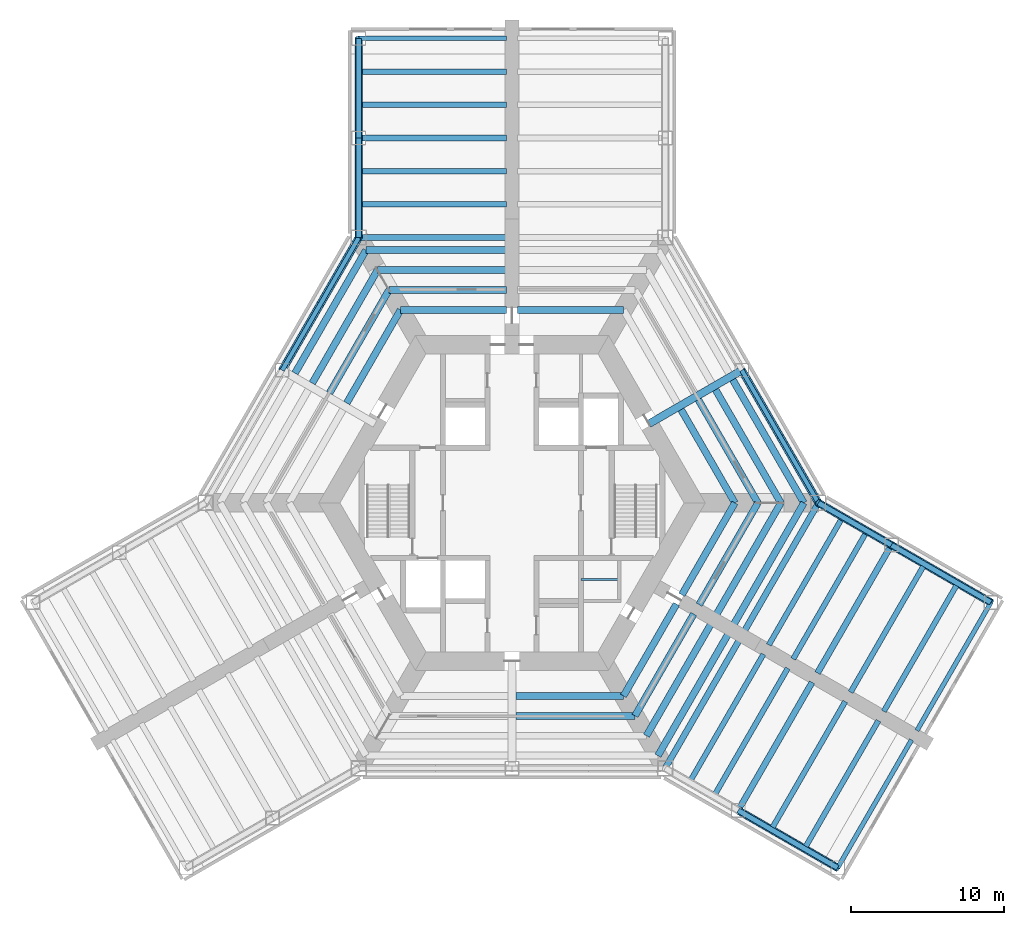
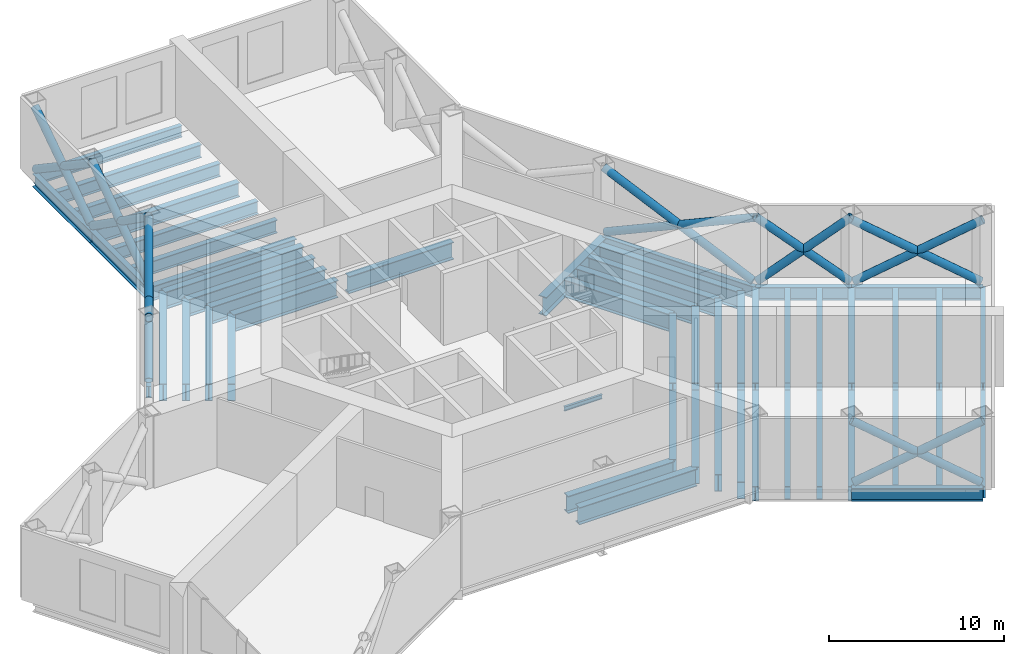
# One storey, part 2 of 8: 53 beams, 14 members.
"""IFC4 building model written with IfcOpenShell, lengths in metres."""

import ifcopenshell
import ifcopenshell.guid

model = None  # the IFC model being written
_history = None  # IfcOwnerHistory: only IFC2X3 demands one
_inside = {}  # id of a spatial element -> (the spatial element, [elements in it])
_under = {}  # id of a project, library or spatial element -> (it, [spatial elements below it])
_declared = {}  # id of a project -> (the project, [libraries it declares])
_typed = {}  # id of a type object -> (the type object, [elements of that type])
_made_of = {}  # id of a material, layer set ... -> (it, [elements and type objects made of it])


def new_model(schema):
    """Start an empty IFC model of exactly this schema.

    Asked for "IFC4X3", IfcOpenShell would pick the latest addendum, in which some entities
    have other attributes; the version numbers below select the first issue.
    IFC2X3 requires an IfcOwnerHistory on every rooted entity: one is made here for all.
    """
    global model, _history
    if schema == "IFC4X3":
        model = ifcopenshell.file(schema_version=(4, 3, 0, 0))
    else:
        model = ifcopenshell.file(schema=schema)
    _inside.clear()
    _under.clear()
    _declared.clear()
    _typed.clear()
    _made_of.clear()
    _history = None
    if model.schema == "IFC2X3":
        org = make("IfcOrganization", Name="unknown")
        user = make(
            "IfcPersonAndOrganization",
            ThePerson=make("IfcPerson", FamilyName="unknown"),
            TheOrganization=org,
        )
        app = make(
            "IfcApplication",
            ApplicationDeveloper=org,
            Version="unknown",
            ApplicationFullName="unknown",
            ApplicationIdentifier="unknown",
        )
        _history = make(
            "IfcOwnerHistory",
            OwningUser=user,
            OwningApplication=app,
            ChangeAction="ADDED",
            CreationDate=0,
        )
    return model


def make(cls, **values):
    """One entity of the class cls with the attributes given. An attribute that is None is left unset."""
    return model.create_entity(
        cls, **{name: value for name, value in values.items() if value is not None}
    )


def rooted(cls, **values):
    """An entity with a GlobalId (a new one), such as an element, a storey or a relation."""
    return make(cls, GlobalId=ifcopenshell.guid.new(), OwnerHistory=_history, **values)


def si_unit(unit_type, name, prefix=None):
    """IfcSIUnit, for example si_unit("LENGTHUNIT", "METRE", prefix="MILLI")."""
    return make("IfcSIUnit", UnitType=unit_type, Prefix=prefix, Name=name)


def assignment(units):
    """IfcUnitAssignment: the units of a project."""
    return None if units is None else make("IfcUnitAssignment", Units=units)


def point(xyz):
    """IfcCartesianPoint."""
    return None if xyz is None else make("IfcCartesianPoint", Coordinates=xyz)


def direction(xyz):
    """IfcDirection."""
    return None if xyz is None else make("IfcDirection", DirectionRatios=xyz)


def frame(location, z_axis=None, x_axis=None):
    """IfcAxis2Placement3D, a coordinate frame: its origin and axes. An axis left out is left unset."""
    return make(
        "IfcAxis2Placement3D",
        Location=point(location),
        Axis=direction(z_axis),
        RefDirection=direction(x_axis),
    )


def frame_2d(location, x_axis=None):
    """IfcAxis2Placement2D, a coordinate frame in the plane: its origin and x axis."""
    return make(
        "IfcAxis2Placement2D", Location=point(location), RefDirection=direction(x_axis)
    )


def origin():
    """The frame at (0, 0, 0) with its axes left unset."""
    return frame((0.0, 0.0, 0.0))


def origin_2d():
    """The frame at (0, 0) in the plane with its x axis left unset."""
    return frame_2d((0.0, 0.0))


def place(relative_to, where):
    """IfcLocalPlacement: puts the frame where relative to a parent placement (None: the world)."""
    return make(
        "IfcLocalPlacement", PlacementRelTo=relative_to, RelativePlacement=where
    )


def context(
    kind, dimensions, precision=None, world=None, true_north=None, identifier=None
):
    """IfcGeometricRepresentationContext, for example the 3D "Model" context."""
    return make(
        "IfcGeometricRepresentationContext",
        ContextIdentifier=identifier,
        ContextType=kind,
        CoordinateSpaceDimension=dimensions,
        Precision=precision,
        WorldCoordinateSystem=world,
        TrueNorth=true_north,
    )


def subcontext(parent, identifier, kind, view, scale=None):
    """IfcGeometricRepresentationSubContext, for example "Body" below "Model"."""
    return make(
        "IfcGeometricRepresentationSubContext",
        ContextIdentifier=identifier,
        ContextType=kind,
        ParentContext=parent,
        TargetScale=scale,
        TargetView=view,
    )


def project(units=None, contexts=None):
    """IfcProject with its units and contexts."""
    return rooted(
        "IfcProject",
        Name="project",
        RepresentationContexts=contexts,
        UnitsInContext=assignment(units),
    )


def spatial(cls, under=None, at=None, **own):
    """A site, building, storey or space (cls), placed at a placement, below another one or the project."""
    s = rooted(cls, ObjectPlacement=at, **own)
    if under is not None:
        _under.setdefault(under.id(), (under, []))[1].append(s)
    return s


def profile(cls, at=None, kind="AREA", **sizes):
    """A parametric profile (cls). Its sizes go by their IFC names, for example OverallWidth=200.0."""
    return make(cls, ProfileType=kind, Position=at, **sizes)


def hollow_circle(**sizes):
    """IfcCircleHollowProfileDef."""
    return profile("IfcCircleHollowProfileDef", **sizes)


def i_section(**sizes):
    """IfcIShapeProfileDef."""
    return profile("IfcIShapeProfileDef", **sizes)


def extrude(swept, where, along, depth):
    """IfcExtrudedAreaSolid: the profile swept, set in the frame where, extruded along a direction by depth."""
    return make(
        "IfcExtrudedAreaSolid",
        SweptArea=swept,
        Position=where,
        ExtrudedDirection=direction(along),
        Depth=depth,
    )


def shape(context_of_items, identifier, shape_type, items):
    """IfcShapeRepresentation: the items that make up one representation, for example the "Body"."""
    return make(
        "IfcShapeRepresentation",
        ContextOfItems=context_of_items,
        RepresentationIdentifier=identifier,
        RepresentationType=shape_type,
        Items=items,
    )


def material(Name=None, Category=None):
    """IfcMaterial."""
    return make("IfcMaterial", Name=Name, Category=Category)


def material_profile(
    of_material, cross_section, Name=None, Category=None, Priority=None
):
    """IfcMaterialProfile: a cross section and its material."""
    return make(
        "IfcMaterialProfile",
        Name=Name,
        Material=of_material,
        Profile=cross_section,
        Priority=Priority,
        Category=Category,
    )


def profile_set(profiles, Name=None, composite=None):
    """IfcMaterialProfileSet."""
    return make(
        "IfcMaterialProfileSet",
        Name=Name,
        MaterialProfiles=profiles,
        CompositeProfile=composite,
    )


def made_of(thing, what):
    """Note that an element or type object is made of a material, layer set ...; save() writes the relation."""
    if what is not None:
        _made_of.setdefault(what.id(), (what, []))[1].append(thing)
    return thing


def type_object(cls, material=None, **own):
    """A type object (cls), such as IfcWallType, which elements share."""
    return made_of(rooted(cls, **own), material)


def element(
    cls,
    number,
    at=None,
    inside=None,
    cuts=None,
    type_object=None,
    material=None,
    context=None,
    identifier="Body",
    shape_type=None,
    held_by="IfcProductDefinitionShape",
    body=None,
    shapes=None,
    **own,
):
    """One element of the class cls, such as IfcWall. Its Tag is "e" and its number.

    at: its placement. inside: the storey or other place that contains it. cuts: it is an
    opening in that element (IfcRelVoidsElement). A single representation is given by context,
    identifier, shape_type and body (its items); several are given by shapes. held_by: the class
    of the entity that holds the representations. save() writes the other relations.
    """
    e = rooted(cls, Tag="e%d" % number, ObjectPlacement=at, **own)
    if body is not None:
        shapes = [shape(context, identifier, shape_type, body)]
    if shapes is not None:
        e.Representation = make(held_by, Representations=shapes)
    if inside is not None:
        _inside.setdefault(inside.id(), (inside, []))[1].append(e)
    if cuts is not None:
        rooted(
            "IfcRelVoidsElement", RelatingBuildingElement=cuts, RelatedOpeningElement=e
        )
    if type_object is not None:
        _typed.setdefault(type_object.id(), (type_object, []))[1].append(e)
    return made_of(e, material)


def aggregate(whole, parts):
    """IfcRelAggregates: a whole, such as a stair, and the parts it consists of."""
    return rooted("IfcRelAggregates", RelatingObject=whole, RelatedObjects=parts)


def save(model, path):
    """Write the relations noted so far, then the file.

    IfcRelAggregates (storeys below a building ...), IfcRelContainedInSpatialStructure (elements
    in a storey), IfcRelDefinesByType, IfcRelAssociatesMaterial and IfcRelDeclares: one each for
    every whole, place, type object, material and project.
    """
    for whole, parts in _under.values():
        aggregate(whole, parts)
    for where, things in _inside.values():
        rooted(
            "IfcRelContainedInSpatialStructure",
            RelatedElements=things,
            RelatingStructure=where,
        )
    for kind, things in _typed.values():
        rooted("IfcRelDefinesByType", RelatedObjects=things, RelatingType=kind)
    for what, things in _made_of.values():
        rooted("IfcRelAssociatesMaterial", RelatedObjects=things, RelatingMaterial=what)
    for by, libraries in _declared.values():
        rooted("IfcRelDeclares", RelatingContext=by, RelatedDefinitions=libraries)
    model.write(path)


model = new_model("IFC4")

# Units and contexts
model_context = context("Model", 3, precision=1e-05, world=origin(), true_north=direction((0.0, 1.0)))
body_context = subcontext(model_context, "Body", "Model", "MODEL_VIEW")
ifc_project = project(units=[si_unit("LENGTHUNIT", "METRE"), si_unit("AREAUNIT", "SQUARE_METRE"), si_unit("VOLUMEUNIT", "CUBIC_METRE"), si_unit("PLANEANGLEUNIT", "RADIAN"), si_unit("MASSUNIT", "GRAM", prefix="KILO")], contexts=[model_context])

# Site, building, storey
site_placement = place(None, origin())
site = spatial("IfcSite", under=ifc_project, at=site_placement, CompositionType="ELEMENT")
building_placement = place(site_placement, origin())
building = spatial("IfcBuilding", under=site, at=building_placement, Name="Kasaneha Research Tower", CompositionType="ELEMENT")
storey_placement = place(building_placement, frame((0.0, 0.0, 52.0)))
storey = spatial("IfcBuildingStorey", under=building, at=storey_placement, Name="L13", CompositionType="ELEMENT", Elevation=52.0)

# Beams
ifc_material_1 = material(Name="Steel SN490B", Category="steel")
ifc_material_profile_1 = material_profile(ifc_material_1, i_section(OverallWidth=0.449951171875, OverallDepth=1.199951171875, WebThickness=0.02197265625, FlangeThickness=0.0400390625, at=origin_2d()), Name="BH-1200x450x22x40")
ifc_profile_set_1 = profile_set([ifc_material_profile_1], Name="Steel SN490B")
beam_type_1 = type_object("IfcBeamType", Name="B1-5 secondary beam BH-1200x450x22x40", PredefinedType="JOIST", material=ifc_profile_set_1)
beam_1_placement = place(storey_placement, frame((14.54931640625, 0.0, -0.85009765625), z_axis=(-0.500015274395, 0.866016584929, 0.0), x_axis=(-0.866016584929, -0.500015274395, 0.0)))
element("IfcBeam", 1, at=beam_1_placement, inside=storey, type_object=beam_type_1, Name="Secondary beam RS030L1 L13", PredefinedType="JOIST", context=body_context, shape_type="SweptSolid", body=[
    extrude(i_section(OverallWidth=0.449951171875, OverallDepth=1.199951171875, WebThickness=0.02197265625, FlangeThickness=0.0400390625, at=origin_2d()), origin(), (0.0, 0.0, 1.0), 7.024658203125),
])
beam_2_placement = place(storey_placement, frame((16.05029296875, 0.0, -0.85009765625), z_axis=(-0.499992453835, 0.866029760521, 0.0), x_axis=(-0.866029760521, -0.499992453835, 0.0)))
element("IfcBeam", 2, at=beam_2_placement, inside=storey, type_object=beam_type_1, Name="Secondary beam RS030L2 L13", PredefinedType="JOIST", context=body_context, shape_type="SweptSolid", body=[
    extrude(i_section(OverallWidth=0.449951171875, OverallDepth=1.199951171875, WebThickness=0.02197265625, FlangeThickness=0.0400390625, at=origin_2d()), origin(), (0.0, 0.0, 1.0), 7.77490234375),
])
beam_3_placement = place(storey_placement, frame((17.551513671875, 0.0, -0.85009765625), z_axis=(-0.500004205306, 0.866022975836, 0.0), x_axis=(-0.866022975836, -0.500004205306, 0.0)))
element("IfcBeam", 3, at=beam_3_placement, inside=storey, type_object=beam_type_1, Name="Secondary beam RS030L3 L13", PredefinedType="JOIST", context=body_context, shape_type="SweptSolid", body=[
    extrude(i_section(OverallWidth=0.449951171875, OverallDepth=1.199951171875, WebThickness=0.02197265625, FlangeThickness=0.0400390625, at=origin_2d()), origin(), (0.0, 0.0, 1.0), 8.52587890625),
])
beam_4_placement = place(storey_placement, frame((19.052490234375, 0.0, -0.85009765625), z_axis=(-0.500005712346, 0.866022105735, 0.0), x_axis=(-0.866022105735, -0.500005712346, 0.0)))
element("IfcBeam", 4, at=beam_4_placement, inside=storey, type_object=beam_type_1, Name="Secondary beam RS030L4 L13", PredefinedType="JOIST", context=body_context, shape_type="SweptSolid", body=[
    extrude(i_section(OverallWidth=0.449951171875, OverallDepth=1.199951171875, WebThickness=0.02197265625, FlangeThickness=0.0400390625, at=origin_2d()), origin(), (0.0, 0.0, 1.0), 9.2763671875),
])
for number, where, z_axis, x_axis, name in (
    (5, (7.274658203125, 12.60009765625, -0.85009765625), (-1.0, 0.0, 0.0), (0.0, -1.0, 0.0), "Secondary beam RS090L1 L13"),
    (6, (-7.274658203125, 12.60009765625, -0.85009765625), (1.0, 0.0, 0.0), (0.0, 1.0, 0.0), "Secondary beam RS090R1 L13"),
):
    element("IfcBeam", number, at=place(storey_placement, frame(where, z_axis=z_axis, x_axis=x_axis)), inside=storey, type_object=beam_type_1, Name=name, PredefinedType="JOIST", context=body_context, shape_type="SweptSolid", body=[
        extrude(i_section(OverallWidth=0.449951171875, OverallDepth=1.199951171875, WebThickness=0.02197265625, FlangeThickness=0.0400390625, at=origin_2d()), origin(), (0.0, 0.0, 1.0), 6.924560546875),
    ])
beam_5_placement = place(storey_placement, frame((-8.025146484375, 13.89990234375, -0.85009765625), z_axis=(1.0, 0.0, 0.0), x_axis=(0.0, 1.0, 0.0)))
element("IfcBeam", 7, at=beam_5_placement, inside=storey, type_object=beam_type_1, Name="Secondary beam RS090R2 L13", PredefinedType="JOIST", context=body_context, shape_type="SweptSolid", body=[
    extrude(i_section(OverallWidth=0.449951171875, OverallDepth=1.199951171875, WebThickness=0.02197265625, FlangeThickness=0.0400390625, at=origin_2d()), origin(), (0.0, 0.0, 1.0), 7.675048828125),
])
beam_6_placement = place(storey_placement, frame((-8.775634765625, 15.199951171875, -0.85009765625), z_axis=(1.0, 0.0, 0.0), x_axis=(0.0, 1.0, 0.0)))
element("IfcBeam", 8, at=beam_6_placement, inside=storey, type_object=beam_type_1, Name="Secondary beam RS090R3 L13", PredefinedType="JOIST", context=body_context, shape_type="SweptSolid", body=[
    extrude(i_section(OverallWidth=0.449951171875, OverallDepth=1.199951171875, WebThickness=0.02197265625, FlangeThickness=0.0400390625, at=origin_2d()), origin(), (0.0, 0.0, 1.0), 8.425537109375),
])
beam_7_placement = place(storey_placement, frame((-9.5263671875, 16.5, -0.85009765625), z_axis=(1.0, 0.0, 0.0), x_axis=(0.0, 1.0, 0.0)))
element("IfcBeam", 9, at=beam_7_placement, inside=storey, type_object=beam_type_1, Name="Secondary beam RS090R4 L13", PredefinedType="JOIST", context=body_context, shape_type="SweptSolid", body=[
    extrude(i_section(OverallWidth=0.449951171875, OverallDepth=1.199951171875, WebThickness=0.02197265625, FlangeThickness=0.0400390625, at=origin_2d()), origin(), (0.0, 0.0, 1.0), 9.17626953125),
])
beam_8_placement = place(storey_placement, frame((-7.274658203125, 12.60009765625, -0.85009765625), z_axis=(-0.499989208252, -0.866031634313, 0.0), x_axis=(0.866031634313, -0.499989208252, 0.0)))
element("IfcBeam", 10, at=beam_8_placement, inside=storey, type_object=beam_type_1, Name="Secondary beam RS150L1 L13", PredefinedType="JOIST", context=body_context, shape_type="SweptSolid", body=[
    extrude(i_section(OverallWidth=0.449951171875, OverallDepth=1.199951171875, WebThickness=0.02197265625, FlangeThickness=0.0400390625, at=origin_2d()), origin(), (0.0, 0.0, 1.0), 7.024658203125),
])
beam_9_placement = place(storey_placement, frame((-8.025146484375, 13.89990234375, -0.85009765625), z_axis=(-0.500016004, -0.866016163673, 0.0), x_axis=(0.866016163673, -0.500016004, 0.0)))
element("IfcBeam", 11, at=beam_9_placement, inside=storey, type_object=beam_type_1, Name="Secondary beam RS150L2 L13", PredefinedType="JOIST", context=body_context, shape_type="SweptSolid", body=[
    extrude(i_section(OverallWidth=0.449951171875, OverallDepth=1.199951171875, WebThickness=0.02197265625, FlangeThickness=0.0400390625, at=origin_2d()), origin(), (0.0, 0.0, 1.0), 7.775146484375),
])
beam_10_placement = place(storey_placement, frame((-8.775634765625, 15.199951171875, -0.85009765625), z_axis=(-0.500004205306, -0.866022975836, 0.0), x_axis=(0.866022975836, -0.500004205306, 0.0)))
element("IfcBeam", 12, at=beam_10_placement, inside=storey, type_object=beam_type_1, Name="Secondary beam RS150L3 L13", PredefinedType="JOIST", context=body_context, shape_type="SweptSolid", body=[
    extrude(i_section(OverallWidth=0.449951171875, OverallDepth=1.199951171875, WebThickness=0.02197265625, FlangeThickness=0.0400390625, at=origin_2d()), origin(), (0.0, 0.0, 1.0), 8.52587890625),
])
beam_11_placement = place(storey_placement, frame((-9.5263671875, 16.5, -0.85009765625), z_axis=(-0.499985972961, -0.866033502147, 0.0), x_axis=(0.866033502147, -0.499985972961, 0.0)))
element("IfcBeam", 13, at=beam_11_placement, inside=storey, type_object=beam_type_1, Name="Secondary beam RS150L4 L13", PredefinedType="JOIST", context=body_context, shape_type="SweptSolid", body=[
    extrude(i_section(OverallWidth=0.449951171875, OverallDepth=1.199951171875, WebThickness=0.02197265625, FlangeThickness=0.0400390625, at=origin_2d()), origin(), (0.0, 0.0, 1.0), 9.276123046875),
])
beam_12_placement = place(storey_placement, frame((7.274658203125, -12.60009765625, -0.85009765625), z_axis=(-1.0, 0.0, 0.0), x_axis=(0.0, -1.0, 0.0)))
element("IfcBeam", 14, at=beam_12_placement, inside=storey, type_object=beam_type_1, Name="Secondary beam RS270R1 L13", PredefinedType="JOIST", context=body_context, shape_type="SweptSolid", body=[
    extrude(i_section(OverallWidth=0.449951171875, OverallDepth=1.199951171875, WebThickness=0.02197265625, FlangeThickness=0.0400390625, at=origin_2d()), origin(), (0.0, 0.0, 1.0), 7.024658203125),
])
beam_13_placement = place(storey_placement, frame((8.025146484375, -13.89990234375, -0.85009765625), z_axis=(-1.0, 0.0, 0.0), x_axis=(0.0, -1.0, 0.0)))
element("IfcBeam", 15, at=beam_13_placement, inside=storey, type_object=beam_type_1, Name="Secondary beam RS270R2 L13", PredefinedType="JOIST", context=body_context, shape_type="SweptSolid", body=[
    extrude(i_section(OverallWidth=0.449951171875, OverallDepth=1.199951171875, WebThickness=0.02197265625, FlangeThickness=0.0400390625, at=origin_2d()), origin(), (0.0, 0.0, 1.0), 7.775146484375),
])
beam_14_placement = place(storey_placement, frame((7.274658203125, -12.60009765625, -0.85009765625), z_axis=(0.499972710878, 0.866041158593, 0.0), x_axis=(-0.866041158593, 0.499972710878, 0.0)))
element("IfcBeam", 16, at=beam_14_placement, inside=storey, type_object=beam_type_1, Name="Secondary beam RS330L1 L13", PredefinedType="JOIST", context=body_context, shape_type="SweptSolid", body=[
    extrude(i_section(OverallWidth=0.449951171875, OverallDepth=1.199951171875, WebThickness=0.02197265625, FlangeThickness=0.0400390625, at=origin_2d()), origin(), (0.0, 0.0, 1.0), 6.9248046875),
])
beam_15_placement = place(storey_placement, frame((8.025146484375, -13.89990234375, -0.85009765625), z_axis=(0.5000152428, 0.866016603171, 0.0), x_axis=(-0.866016603171, 0.5000152428, 0.0)))
element("IfcBeam", 17, at=beam_15_placement, inside=storey, type_object=beam_type_1, Name="Secondary beam RS330L2 L13", PredefinedType="JOIST", context=body_context, shape_type="SweptSolid", body=[
    extrude(i_section(OverallWidth=0.449951171875, OverallDepth=1.199951171875, WebThickness=0.02197265625, FlangeThickness=0.0400390625, at=origin_2d()), origin(), (0.0, 0.0, 1.0), 7.675048828125),
])
beam_16_placement = place(storey_placement, frame((8.775634765625, -15.199951171875, -0.85009765625), z_axis=(0.500003371769, 0.866023457084, 0.0), x_axis=(-0.866023457084, 0.500003371769, 0.0)))
element("IfcBeam", 18, at=beam_16_placement, inside=storey, type_object=beam_type_1, Name="Secondary beam RS330L3 L13", PredefinedType="JOIST", context=body_context, shape_type="SweptSolid", body=[
    extrude(i_section(OverallWidth=0.449951171875, OverallDepth=1.199951171875, WebThickness=0.02197265625, FlangeThickness=0.0400390625, at=origin_2d()), origin(), (0.0, 0.0, 1.0), 8.42578125),
])
beam_17_placement = place(storey_placement, frame((9.5263671875, -16.5, -0.85009765625), z_axis=(0.500004963416, 0.866022538136, 0.0), x_axis=(-0.866022538136, 0.500004963416, 0.0)))
element("IfcBeam", 19, at=beam_17_placement, inside=storey, type_object=beam_type_1, Name="Secondary beam RS330L4 L13", PredefinedType="JOIST", context=body_context, shape_type="SweptSolid", body=[
    extrude(i_section(OverallWidth=0.449951171875, OverallDepth=1.199951171875, WebThickness=0.02197265625, FlangeThickness=0.0400390625, at=origin_2d()), origin(), (0.0, 0.0, 1.0), 9.17626953125),
])
beam_18_placement = place(storey_placement, frame((14.54931640625, 0.0, -0.85009765625), z_axis=(-0.500014420154, -0.866017078145, 0.0), x_axis=(0.866017078145, -0.500014420154, 0.0)))
element("IfcBeam", 20, at=beam_18_placement, inside=storey, type_object=beam_type_1, Name="Secondary beam RS330R1 L13", PredefinedType="JOIST", context=body_context, shape_type="SweptSolid", body=[
    extrude(i_section(OverallWidth=0.449951171875, OverallDepth=1.199951171875, WebThickness=0.02197265625, FlangeThickness=0.0400390625, at=origin_2d()), origin(), (0.0, 0.0, 1.0), 6.924560546875),
])
beam_19_placement = place(storey_placement, frame((16.05029296875, 0.0, -0.85009765625), z_axis=(-0.500001468872, -0.866024555729, 0.0), x_axis=(0.866024555729, -0.500001468872, 0.0)))
element("IfcBeam", 21, at=beam_19_placement, inside=storey, type_object=beam_type_1, Name="Secondary beam RS330R2 L13", PredefinedType="JOIST", context=body_context, shape_type="SweptSolid", body=[
    extrude(i_section(OverallWidth=0.449951171875, OverallDepth=1.199951171875, WebThickness=0.02197265625, FlangeThickness=0.0400390625, at=origin_2d()), origin(), (0.0, 0.0, 1.0), 7.67529296875),
])
beam_20_placement = place(storey_placement, frame((17.551513671875, 0.0, -0.85009765625), z_axis=(-0.500003371769, -0.866023457084, 0.0), x_axis=(0.866023457084, -0.500003371769, 0.0)))
element("IfcBeam", 22, at=beam_20_placement, inside=storey, type_object=beam_type_1, Name="Secondary beam RS330R3 L13", PredefinedType="JOIST", context=body_context, shape_type="SweptSolid", body=[
    extrude(i_section(OverallWidth=0.449951171875, OverallDepth=1.199951171875, WebThickness=0.02197265625, FlangeThickness=0.0400390625, at=origin_2d()), origin(), (0.0, 0.0, 1.0), 8.42578125),
])
beam_21_placement = place(storey_placement, frame((19.052490234375, 0.0, -0.85009765625), z_axis=(-0.500004963416, -0.866022538136, 0.0), x_axis=(0.866022538136, -0.500004963416, 0.0)))
element("IfcBeam", 23, at=beam_21_placement, inside=storey, type_object=beam_type_1, Name="Secondary beam RS330R4 L13", PredefinedType="JOIST", context=body_context, shape_type="SweptSolid", body=[
    extrude(i_section(OverallWidth=0.449951171875, OverallDepth=1.199951171875, WebThickness=0.02197265625, FlangeThickness=0.0400390625, at=origin_2d()), origin(), (0.0, 0.0, 1.0), 9.17626953125),
])
ifc_material_2 = material(Name="Steel SN490B", Category="steel")
ifc_material_profile_2 = material_profile(ifc_material_2, i_section(OverallWidth=0.35009765625, OverallDepth=0.89990234375, WebThickness=0.01611328125, FlangeThickness=0.031982421875, at=origin_2d()), Name="BH-900x350x16x32")
ifc_profile_set_2 = profile_set([ifc_material_profile_2], Name="Steel SN490B")
beam_type_2 = type_object("IfcBeamType", Name="B2-5 secondary beam BH-900x350x16x32", PredefinedType="JOIST", material=ifc_profile_set_2)
for number, where, z_axis, x_axis, name in (
    (24, (-10.0, 19.487060546875, -0.699951171875), (1.0, 0.0, 0.0), (0.0, 1.0, 0.0), "Secondary beam WBAN1 L13"),
    (25, (-10.0, 21.65380859375, -0.699951171875), (1.0, 0.0, 0.0), (0.0, 1.0, 0.0), "Secondary beam WBAN2 L13"),
    (26, (-10.0, 25.987060546875, -0.699951171875), (1.0, 0.0, 0.0), (0.0, 1.0, 0.0), "Secondary beam WBAN3 L13"),
    (27, (-10.0, 28.15380859375, -0.699951171875), (1.0, 0.0, 0.0), (0.0, 1.0, 0.0), "Secondary beam WBAN4 L13"),
    (28, (11.587646484375, -18.237060546875, -0.699951171875), (0.50000569793, 0.866022114058, 0.0), (-0.866022114058, 0.50000569793, 0.0), "Secondary beam WBCP1 L13"),
    (29, (13.175537109375, -19.15380859375, -0.699951171875), (0.499994742786, 0.866028439017, 0.0), (-0.866028439017, 0.499994742786, 0.0), "Secondary beam WBCP2 L13"),
    (30, (16.92822265625, -21.320556640625, -0.699951171875), (0.499994742786, 0.866028439017, 0.0), (-0.866028439017, 0.499994742786, 0.0), "Secondary beam WBCP3 L13"),
    (31, (19.09326171875, -22.570556640625, -0.699951171875), (0.499994742786, 0.866028439017, 0.0), (-0.866028439017, 0.499994742786, 0.0), "Secondary beam WBCP4 L13"),
    (32, (21.587646484375, -0.916748046875, -0.699951171875), (-0.499994742786, -0.866028439017, 0.0), (0.866028439017, -0.499994742786, 0.0), "Secondary beam WBCN1 L13"),
):
    element("IfcBeam", number, at=place(storey_placement, frame(where, z_axis=z_axis, x_axis=x_axis)), inside=storey, type_object=beam_type_2, Name=name, PredefinedType="JOIST", context=body_context, shape_type="SweptSolid", body=[
        extrude(i_section(OverallWidth=0.35009765625, OverallDepth=0.89990234375, WebThickness=0.01611328125, FlangeThickness=0.031982421875, at=origin_2d()), origin(), (0.0, 0.0, 1.0), 9.64990234375),
    ])
beam_22_placement = place(storey_placement, frame((23.175537109375, -1.833251953125, -0.699951171875), z_axis=(-0.500013717211, -0.866017484004, 0.0), x_axis=(0.866017484004, -0.500013717211, 0.0)))
element("IfcBeam", 33, at=beam_22_placement, inside=storey, type_object=beam_type_2, Name="Secondary beam WBCN2 L13", PredefinedType="JOIST", context=body_context, shape_type="SweptSolid", body=[
    extrude(i_section(OverallWidth=0.35009765625, OverallDepth=0.89990234375, WebThickness=0.01611328125, FlangeThickness=0.031982421875, at=origin_2d()), origin(), (0.0, 0.0, 1.0), 9.650146484375),
])
for number, where, z_axis, x_axis, name in (
    (34, (26.92822265625, -4.0, -0.699951171875), (-0.499994742786, -0.866028439017, 0.0), (0.866028439017, -0.499994742786, 0.0), "Secondary beam WBCN3 L13"),
    (35, (29.09326171875, -5.25, -0.699951171875), (-0.499994742786, -0.866028439017, 0.0), (0.866028439017, -0.499994742786, 0.0), "Secondary beam WBCN4 L13"),
):
    element("IfcBeam", number, at=place(storey_placement, frame(where, z_axis=z_axis, x_axis=x_axis)), inside=storey, type_object=beam_type_2, Name=name, PredefinedType="JOIST", context=body_context, shape_type="SweptSolid", body=[
        extrude(i_section(OverallWidth=0.35009765625, OverallDepth=0.89990234375, WebThickness=0.01611328125, FlangeThickness=0.031982421875, at=origin_2d()), origin(), (0.0, 0.0, 1.0), 9.64990234375),
    ])
ifc_material_3 = material(Name="Steel SN490B", Category="steel")
ifc_material_profile_3 = material_profile(ifc_material_3, i_section(OverallWidth=0.35009765625, OverallDepth=0.89990234375, WebThickness=0.01611328125, FlangeThickness=0.031982421875, at=origin_2d()), Name="BH-900x350x16x32")
ifc_profile_set_3 = profile_set([ifc_material_profile_3], Name="Steel SN490B")
beam_type_3 = type_object("IfcBeamType", Name="BC1-5 belt chord BH-900x350x16x32", PredefinedType="BEAM", material=ifc_profile_set_3)
beam_23_placement = place(storey_placement, frame((-10.0, 17.320556640625, -0.699951171875), z_axis=(0.0, 1.0, 0.0), x_axis=(-1.0, 0.0, 0.0)))
element("IfcBeam", 36, at=beam_23_placement, inside=storey, type_object=beam_type_3, Name="Belt chord WSAN1 L13", PredefinedType="BEAM", context=body_context, shape_type="SweptSolid", body=[
    extrude(i_section(OverallWidth=0.35009765625, OverallDepth=0.89990234375, WebThickness=0.01611328125, FlangeThickness=0.031982421875, at=origin_2d()), origin(), (0.0, 0.0, 1.0), 6.5),
])
beam_24_placement = place(storey_placement, frame((20.0, 0.0, -0.699951171875), z_axis=(0.866027397988, -0.499996545922, 0.0), x_axis=(0.499996545922, 0.866027397988, 0.0)))
element("IfcBeam", 37, at=beam_24_placement, inside=storey, type_object=beam_type_3, Name="Belt chord WSCN1 L13", PredefinedType="BEAM", context=body_context, shape_type="SweptSolid", body=[
    extrude(i_section(OverallWidth=0.35009765625, OverallDepth=0.89990234375, WebThickness=0.01611328125, FlangeThickness=0.031982421875, at=origin_2d()), origin(), (0.0, 0.0, 1.0), 5.5),
])

# Members
ifc_material_4 = material(Name="Steel STKN490B", Category="steel")
ifc_material_profile_4 = material_profile(ifc_material_4, hollow_circle(Radius=0.25390625, WallThickness=0.02197265625, at=origin_2d()), Name="CHS-508.0x22.0")
ifc_profile_set_4 = profile_set([ifc_material_profile_4], Name="Steel STKN490B")
member_type = type_object("IfcMemberType", Name="BT1 belt truss diagonal CHS-508.0x22.0", PredefinedType="BRACE", material=ifc_profile_set_4)
for number, where, z_axis, x_axis, name in (
    (38, (-14.932861328125, 8.7763671875, 0.067138671875), (0.455515713418, 0.788996952362, 0.412297518781), (-0.866031054652, 0.499990212282, 0.0), "Belt truss diagonal 4a L13"),
    (39, (-10.067138671875, 17.204345703125, 0.067138671875), (-0.455515713418, -0.788996952362, 0.412297518781), (0.866031054652, -0.499990212282, 0.0), "Belt truss diagonal 4b L13"),
):
    element("IfcMember", number, at=place(storey_placement, frame(where, z_axis=z_axis, x_axis=x_axis)), inside=storey, type_object=member_type, Name=name, PredefinedType="BRACE", context=body_context, shape_type="SweptSolid", body=[
        extrude(hollow_circle(Radius=0.25390625, WallThickness=0.02197265625, at=origin_2d()), origin(), (0.0, 0.0, 1.0), 10.8291015625),
    ])
for number, where, z_axis, x_axis, name in (
    (40, (-10.0, 17.439453125, 0.091552734375), (0.0, 0.817919864106, 0.575332161365), (-1.0, 0.0, 0.0), "Belt truss diagonal 5a L13"),
    (41, (-10.0, 23.70166015625, 0.091552734375), (0.0, -0.817919864106, 0.575332161365), (1.0, 0.0, 0.0), "Belt truss diagonal 5b L13"),
):
    element("IfcMember", number, at=place(storey_placement, frame(where, z_axis=z_axis, x_axis=x_axis)), inside=storey, type_object=member_type, Name=name, PredefinedType="BRACE", context=body_context, shape_type="SweptSolid", body=[
        extrude(hollow_circle(Radius=0.25390625, WallThickness=0.02197265625, at=origin_2d()), origin(), (0.0, 0.0, 1.0), 7.801513671875),
    ])
for number, where, z_axis, x_axis, name in (
    (42, (-10.0, 23.939453125, 0.091552734375), (0.0, 0.829987809432, 0.557781530883), (-1.0, 0.0, 0.0), "Belt truss diagonal 6a L13"),
    (43, (-10.0, 30.20166015625, 0.091552734375), (0.0, -0.829987809432, 0.557781530883), (1.0, 0.0, 0.0), "Belt truss diagonal 6b L13"),
):
    element("IfcMember", number, at=place(storey_placement, frame(where, z_axis=z_axis, x_axis=x_axis)), inside=storey, type_object=member_type, Name=name, PredefinedType="BRACE", context=body_context, shape_type="SweptSolid", body=[
        extrude(hollow_circle(Radius=0.25390625, WallThickness=0.02197265625, at=origin_2d()), origin(), (0.0, 0.0, 1.0), 7.688232421875),
    ])
for number, where, z_axis, x_axis, name in (
    (44, (15.067138671875, 8.5439453125, 0.067138671875), (0.455523816095, -0.788988441875, 0.412304852698), (0.866024868229, 0.500000927608, 0.0), "Belt truss diagonal 10a L13"),
    (45, (19.932861328125, 0.1162109375, 0.067138671875), (-0.455523816095, 0.788988441875, 0.412304852698), (-0.866024868229, -0.500000927608, 0.0), "Belt truss diagonal 10b L13"),
):
    element("IfcMember", number, at=place(storey_placement, frame(where, z_axis=z_axis, x_axis=x_axis)), inside=storey, type_object=member_type, Name=name, PredefinedType="BRACE", context=body_context, shape_type="SweptSolid", body=[
        extrude(hollow_circle(Radius=0.25390625, WallThickness=0.02197265625, at=origin_2d()), origin(), (0.0, 0.0, 1.0), 10.8291015625),
    ])
for number, where, z_axis, x_axis, name in (
    (46, (20.09619140625, -0.055419921875, 0.100830078125), (0.665998346189, -0.384527293727, 0.639206510647), (0.500012648207, 0.866018101216, 0.0), "Belt truss diagonal 11a L13"),
    (47, (24.6669921875, -2.694580078125, 0.100830078125), (-0.665998346189, 0.384527293727, 0.639206510647), (-0.500012648207, -0.866018101216, 0.0), "Belt truss diagonal 11b L13"),
):
    element("IfcMember", number, at=place(storey_placement, frame(where, z_axis=z_axis, x_axis=x_axis)), inside=storey, type_object=member_type, Name=name, PredefinedType="BRACE", context=body_context, shape_type="SweptSolid", body=[
        extrude(hollow_circle(Radius=0.25390625, WallThickness=0.02197265625, at=origin_2d()), origin(), (0.0, 0.0, 1.0), 7.007568359375),
    ])
for number, where, z_axis, x_axis, name in (
    (48, (24.871337890625, -2.8125, 0.083251953125), (0.748296457553, -0.432027433771, 0.503393194315), (0.499998500593, 0.866026269466, 0.0), "Belt truss diagonal 12a L13"),
    (49, (31.150146484375, -6.4375, 0.083251953125), (-0.748296457553, 0.432027433771, 0.503393194315), (-0.499998500593, -0.866026269466, 0.0), "Belt truss diagonal 12b L13"),
    (50, (21.150146484375, -23.758056640625, 0.083251953125), (-0.748296457553, 0.432027433771, 0.503393194315), (-0.499998500593, -0.866026269466, 0.0), "Belt truss diagonal 13a L13"),
    (51, (14.871337890625, -20.1328125, 0.083251953125), (0.748287210344, -0.432050698071, 0.503386973542), (0.500023327812, 0.866011935047, 0.0), "Belt truss diagonal 13b L13"),
):
    element("IfcMember", number, at=place(storey_placement, frame(where, z_axis=z_axis, x_axis=x_axis)), inside=storey, type_object=member_type, Name=name, PredefinedType="BRACE", context=body_context, shape_type="SweptSolid", body=[
        extrude(hollow_circle(Radius=0.25390625, WallThickness=0.02197265625, at=origin_2d()), origin(), (0.0, 0.0, 1.0), 8.535400390625),
    ])

# Beams
ifc_material_5 = material(Name="Steel SN490B", Category="steel")
ifc_material_profile_5 = material_profile(ifc_material_5, i_section(OverallWidth=0.5, OverallDepth=1.300048828125, WebThickness=0.02197265625, FlangeThickness=0.044921875, at=origin_2d()), Name="BH-1300x500x22x45")
ifc_profile_set_5 = profile_set([ifc_material_profile_5], Name="Steel SN490B")
beam_type_4 = type_object("IfcBeamType", Name="G2-5 radial girder BH-1300x500x22x45", PredefinedType="BEAM", material=ifc_profile_set_5)
beam_25_placement = place(storey_placement, frame((8.941650390625, 5.16259765625, -0.89990234375), z_axis=(0.866039713508, 0.499975214012, 0.0), x_axis=(-0.499975214012, 0.866039713508, 0.0)))
element("IfcBeam", 52, at=beam_25_placement, inside=storey, type_object=beam_type_4, Name="Radial girder RM030 L13", PredefinedType="BEAM", context=body_context, shape_type="SweptSolid", body=[
    extrude(i_section(OverallWidth=0.5, OverallDepth=1.300048828125, WebThickness=0.02197265625, FlangeThickness=0.044921875, at=origin_2d()), origin(), (0.0, 0.0, 1.0), 6.995361328125),
])
ifc_material_6 = material(Name="Steel SN490B", Category="steel")
ifc_material_profile_6 = material_profile(ifc_material_6, i_section(OverallWidth=0.39990234375, OverallDepth=1.0, WebThickness=0.01904296875, FlangeThickness=0.035888671875, at=origin_2d()), Name="BH-1000x400x19x36")
ifc_profile_set_6 = profile_set([ifc_material_profile_6], Name="Steel SN490B")
beam_type_5 = type_object("IfcBeamType", Name="G3-5 plate edge girder BH-1000x400x19x36", PredefinedType="BEAM", material=ifc_profile_set_6)
for number, where, z_axis, x_axis, name in (
    (53, (-10.0, 17.320556640625, -0.75), (1.0, 0.0, 0.0), (0.0, 1.0, 0.0), "Plate edge girder PEAN L13"),
    (54, (10.0, -17.320556640625, -0.75), (0.499994742786, 0.866028439017, 0.0), (-0.866028439017, 0.499994742786, 0.0), "Plate edge girder PECP L13"),
    (55, (20.0, 0.0, -0.75), (-0.499994742786, -0.866028439017, 0.0), (0.866028439017, -0.499994742786, 0.0), "Plate edge girder PECN L13"),
):
    element("IfcBeam", number, at=place(storey_placement, frame(where, z_axis=z_axis, x_axis=x_axis)), inside=storey, type_object=beam_type_5, Name=name, PredefinedType="BEAM", context=body_context, shape_type="SweptSolid", body=[
        extrude(i_section(OverallWidth=0.39990234375, OverallDepth=1.0, WebThickness=0.01904296875, FlangeThickness=0.035888671875, at=origin_2d()), origin(), (0.0, 0.0, 1.0), 9.64990234375),
    ])
ifc_material_7 = material(Name="Steel SN490B", Category="steel")
ifc_material_profile_7 = material_profile(ifc_material_7, i_section(OverallWidth=0.39990234375, OverallDepth=1.0, WebThickness=0.01904296875, FlangeThickness=0.035888671875, at=origin_2d()), Name="BH-1000x400x19x36")
ifc_profile_set_7 = profile_set([ifc_material_profile_7], Name="Steel SN490B")
beam_type_6 = type_object("IfcBeamType", Name="G4-5 wing girder BH-1000x400x19x36", PredefinedType="BEAM", material=ifc_profile_set_7)
for number, where, z_axis, x_axis, name in (
    (56, (-10.0, 23.820556640625, -0.75), (1.0, 0.0, 0.0), (0.0, 1.0, 0.0), "Wing girder WGAN L13"),
    (57, (14.76318359375, -20.070556640625, -0.75), (0.499994742786, 0.866028439017, 0.0), (-0.866028439017, 0.499994742786, 0.0), "Wing girder WGCP L13"),
    (58, (24.76318359375, -2.75, -0.75), (-0.499994742786, -0.866028439017, 0.0), (0.866028439017, -0.499994742786, 0.0), "Wing girder WGCN L13"),
):
    element("IfcBeam", number, at=place(storey_placement, frame(where, z_axis=z_axis, x_axis=x_axis)), inside=storey, type_object=beam_type_6, Name=name, PredefinedType="BEAM", context=body_context, shape_type="SweptSolid", body=[
        extrude(i_section(OverallWidth=0.39990234375, OverallDepth=1.0, WebThickness=0.01904296875, FlangeThickness=0.035888671875, at=origin_2d()), origin(), (0.0, 0.0, 1.0), 9.64990234375),
    ])
ifc_material_8 = material(Name="Steel SN490B", Category="steel")
ifc_material_profile_8 = material_profile(ifc_material_8, i_section(OverallWidth=0.14990234375, OverallDepth=0.300048828125, WebThickness=0.006591796875, FlangeThickness=0.009033203125, FilletRadius=0.012939453125, at=origin_2d()), Name="H-300x150x6.5x9")
ifc_profile_set_8 = profile_set([ifc_material_profile_8], Name="Steel SN490B")
beam_type_7 = type_object("IfcBeamType", Name="HB1 lift hoist beam H-300x150x6.5x9", PredefinedType="BEAM", material=ifc_profile_set_8)
beam_26_placement = place(storey_placement, frame((4.5, -5.0, -0.35009765625), z_axis=(1.0, 0.0, 0.0), x_axis=(0.0, 1.0, 0.0)))
element("IfcBeam", 59, at=beam_26_placement, inside=storey, type_object=beam_type_7, Name="Lift hoist beam PL1", PredefinedType="BEAM", context=body_context, shape_type="SweptSolid", body=[
    extrude(i_section(OverallWidth=0.14990234375, OverallDepth=0.300048828125, WebThickness=0.006591796875, FlangeThickness=0.009033203125, FilletRadius=0.012939453125, at=origin_2d()), origin(), (0.0, 0.0, 1.0), 2.5),
])
ifc_material_9 = material(Name="Steel SN490B", Category="steel")
ifc_material_profile_9 = material_profile(ifc_material_9, i_section(OverallWidth=0.300048828125, OverallDepth=0.800048828125, WebThickness=0.013916015625, FlangeThickness=0.02587890625, FilletRadius=0.01806640625, at=origin_2d()), Name="H-800x300x14x26")
ifc_profile_set_9 = profile_set([ifc_material_profile_9], Name="Steel SN490B")
beam_type_8 = type_object("IfcBeamType", Name="SB1-5 spandrel beam H-800x300x14x26", PredefinedType="SPANDREL", material=ifc_profile_set_9)
beam_27_placement = place(storey_placement, frame((20.0, 0.0, -0.64990234375), z_axis=(-0.500004234368, 0.866022959057, 0.0), x_axis=(-0.866022959057, -0.500004234368, 0.0)))
element("IfcBeam", 60, at=beam_27_placement, inside=storey, type_object=beam_type_8, Name="Spandrel beam SR030L L13", PredefinedType="SPANDREL", context=body_context, shape_type="SweptSolid", body=[
    extrude(i_section(OverallWidth=0.300048828125, OverallDepth=0.800048828125, WebThickness=0.013916015625, FlangeThickness=0.02587890625, FilletRadius=0.01806640625, at=origin_2d()), origin(), (0.0, 0.0, 1.0), 10.0),
])
beam_28_placement = place(storey_placement, frame((-10.0, 17.320556640625, -0.64990234375), z_axis=(-0.499993662806, -0.866029062534, 0.0), x_axis=(0.866029062534, -0.499993662806, 0.0)))
element("IfcBeam", 61, at=beam_28_placement, inside=storey, type_object=beam_type_8, Name="Spandrel beam SR150L L13", PredefinedType="SPANDREL", context=body_context, shape_type="SweptSolid", body=[
    extrude(i_section(OverallWidth=0.300048828125, OverallDepth=0.800048828125, WebThickness=0.013916015625, FlangeThickness=0.02587890625, FilletRadius=0.01806640625, at=origin_2d()), origin(), (0.0, 0.0, 1.0), 10.000244140625),
])
ifc_material_10 = material(Name="Steel SN490B", Category="steel")
ifc_material_profile_10 = material_profile(ifc_material_10, i_section(OverallWidth=0.35009765625, OverallDepth=0.89990234375, WebThickness=0.01611328125, FlangeThickness=0.031982421875, at=origin_2d()), Name="BH-900x350x16x32")
ifc_profile_set_10 = profile_set([ifc_material_profile_10], Name="Steel SN490B")
beam_type_9 = type_object("IfcBeamType", Name="SB2-5 spandrel beam BH-900x350x16x32", PredefinedType="SPANDREL", material=ifc_profile_set_10)
beam_29_placement = place(storey_placement, frame((-10.0, 23.820556640625, -0.699951171875), z_axis=(0.0, 1.0, 0.0), x_axis=(-1.0, 0.0, 0.0)))
element("IfcBeam", 62, at=beam_29_placement, inside=storey, type_object=beam_type_9, Name="Spandrel beam WSAN2 L13", PredefinedType="SPANDREL", context=body_context, shape_type="SweptSolid", body=[
    extrude(i_section(OverallWidth=0.35009765625, OverallDepth=0.89990234375, WebThickness=0.01611328125, FlangeThickness=0.031982421875, at=origin_2d()), origin(), (0.0, 0.0, 1.0), 6.5),
])
for number, where, z_axis, x_axis, name in (
    (63, (14.76318359375, -20.070556640625, -0.699951171875), (0.866022959057, -0.500004234368, 0.0), (0.500004234368, 0.866022959057, 0.0), "Spandrel beam WSCP2 L13"),
    (64, (24.76318359375, -2.75, -0.699951171875), (0.866022959057, -0.500004234368, 0.0), (0.500004234368, 0.866022959057, 0.0), "Spandrel beam WSCN2 L13"),
):
    element("IfcBeam", number, at=place(storey_placement, frame(where, z_axis=z_axis, x_axis=x_axis)), inside=storey, type_object=beam_type_9, Name=name, PredefinedType="SPANDREL", context=body_context, shape_type="SweptSolid", body=[
        extrude(i_section(OverallWidth=0.35009765625, OverallDepth=0.89990234375, WebThickness=0.01611328125, FlangeThickness=0.031982421875, at=origin_2d()), origin(), (0.0, 0.0, 1.0), 7.5),
    ])
ifc_material_11 = material(Name="Steel SN490B", Category="steel")
ifc_material_profile_11 = material_profile(ifc_material_11, i_section(OverallWidth=0.300048828125, OverallDepth=0.7919921875, WebThickness=0.013916015625, FlangeThickness=0.02197265625, FilletRadius=0.01806640625, at=origin_2d()), Name="H-792x300x14x22")
ifc_profile_set_11 = profile_set([ifc_material_profile_11], Name="Steel SN490B")
beam_type_10 = type_object("IfcBeamType", Name="SB3-5 spandrel beam H-792x300x14x22", PredefinedType="SPANDREL", material=ifc_profile_set_11)
for number, where, z_axis, x_axis, name in (
    (65, (-10.0, 30.320556640625, -0.64599609375), (1.0, 0.0, 0.0), (0.0, 1.0, 0.0), "Spandrel beam WTAN L13"),
    (66, (21.25830078125, -23.820556640625, -0.64599609375), (0.499994742786, 0.866028439017, 0.0), (-0.866028439017, 0.499994742786, 0.0), "Spandrel beam WTCP L13"),
    (67, (31.25830078125, -6.5, -0.64599609375), (-0.499994742786, -0.866028439017, 0.0), (0.866028439017, -0.499994742786, 0.0), "Spandrel beam WTCN L13"),
):
    element("IfcBeam", number, at=place(storey_placement, frame(where, z_axis=z_axis, x_axis=x_axis)), inside=storey, type_object=beam_type_10, Name=name, PredefinedType="SPANDREL", context=body_context, shape_type="SweptSolid", body=[
        extrude(i_section(OverallWidth=0.300048828125, OverallDepth=0.7919921875, WebThickness=0.013916015625, FlangeThickness=0.02197265625, FilletRadius=0.01806640625, at=origin_2d()), origin(), (0.0, 0.0, 1.0), 9.64990234375),
    ])

save(model, "model.ifc")
